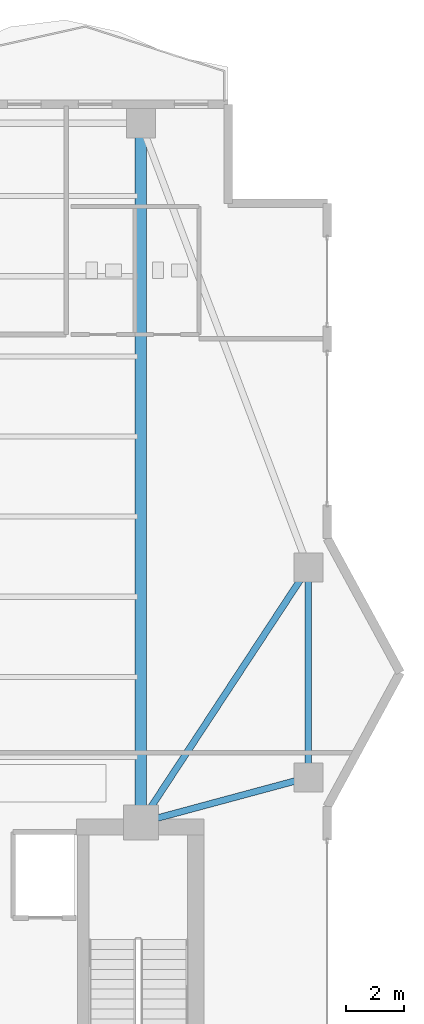
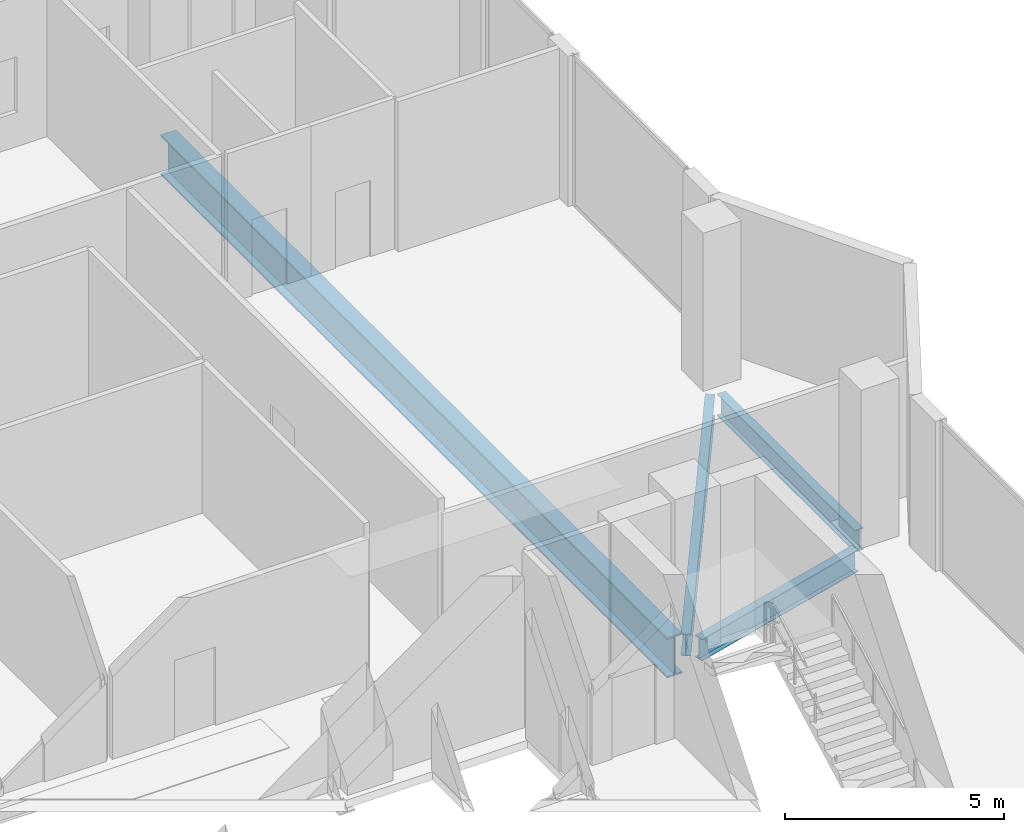
# One storey, part 9 of 23: 4 beams.
"""IFC4 building model written with IfcOpenShell, lengths in metres."""

from ifc_helpers import new_model, si_unit, direction, frame, origin, origin_2d, place, context, subcontext, project, spatial, i_section, extrude, material, material_profile, profile_set, type_object, element, save


model = new_model("IFC4")

# Units and contexts
model_context = context("Model", 3, precision=1e-05, world=origin(), true_north=direction((0.0, 1.0)))
body_context = subcontext(model_context, "Body", "Model", "MODEL_VIEW")
ifc_project = project(units=[si_unit("LENGTHUNIT", "METRE"), si_unit("AREAUNIT", "SQUARE_METRE"), si_unit("VOLUMEUNIT", "CUBIC_METRE"), si_unit("PLANEANGLEUNIT", "RADIAN"), si_unit("MASSUNIT", "GRAM", prefix="KILO")], contexts=[model_context])

# Site, building, storey
site_placement = place(None, origin())
site = spatial("IfcSite", under=ifc_project, at=site_placement, CompositionType="ELEMENT")
building_placement = place(site_placement, origin())
building = spatial("IfcBuilding", under=site, at=building_placement, Name="Zuhayl Quay Hotel", CompositionType="ELEMENT")
storey_placement = place(building_placement, frame((0.0, 0.0, 288.449951171875)))
storey = spatial("IfcBuildingStorey", under=building, at=storey_placement, Name="L73", CompositionType="ELEMENT", Elevation=288.449951171875)

# Beams
ifc_material_1 = material(Name="Steel ASTM A992 Grade 50", Category="steel")
ifc_material_profile_1 = material_profile(ifc_material_1, i_section(OverallWidth=0.22802734375, OverallDepth=0.60693359375, WebThickness=0.01123046875, FlangeThickness=0.017333984375, at=origin_2d()), Name="W24X76")
ifc_profile_set_1 = profile_set([ifc_material_profile_1], Name="Steel ASTM A992 Grade 50")
beam_type_1 = type_object("IfcBeamType", Name="BM_B3_W24X76", PredefinedType="BEAM", material=ifc_profile_set_1)
beam_1_placement = place(storey_placement, frame((19.550048828125, 16.360107421875, -0.5234375), z_axis=(0.0, 1.0, 0.0), x_axis=(-1.0, 0.0, 0.0)))
element("IfcBeam", 1, at=beam_1_placement, inside=storey, type_object=beam_type_1, Name="L73 Floor Beam RG_L73_05", PredefinedType="BEAM", context=body_context, shape_type="SweptSolid", body=[
    extrude(i_section(OverallWidth=0.22802734375, OverallDepth=0.60693359375, WebThickness=0.01123046875, FlangeThickness=0.017333984375, at=origin_2d()), origin(), (0.0, 0.0, 1.0), 6.27978515625),
])
beam_2_placement = place(storey_placement, frame((14.234619140625, 14.467041015625, -0.5234375), z_axis=(0.965530205773, 0.26029103277, 0.0), x_axis=(-0.26029103277, 0.965530205773, 0.0)))
element("IfcBeam", 2, at=beam_2_placement, inside=storey, type_object=beam_type_1, Name="L73 Floor Beam FG_E_L73_1", PredefinedType="BEAM", context=body_context, shape_type="SweptSolid", body=[
    extrude(i_section(OverallWidth=0.22802734375, OverallDepth=0.60693359375, WebThickness=0.01123046875, FlangeThickness=0.017333984375, at=origin_2d()), origin(), (0.0, 0.0, 1.0), 5.045166015625),
])
beam_3_placement = place(storey_placement, frame((14.047119140625, 14.72607421875, -0.5234375), z_axis=(0.549177886661, 0.835705479701, 0.0), x_axis=(-0.835705479701, 0.549177886661, 0.0)))
element("IfcBeam", 3, at=beam_3_placement, inside=storey, type_object=beam_type_1, Name="L73 Floor Beam FG_E_L73_2", PredefinedType="BEAM", context=body_context, shape_type="SweptSolid", body=[
    extrude(i_section(OverallWidth=0.22802734375, OverallDepth=0.60693359375, WebThickness=0.01123046875, FlangeThickness=0.017333984375, at=origin_2d()), origin(), (0.0, 0.0, 1.0), 9.560302734375),
])
ifc_material_2 = material(Name="Steel ASTM A913 Grade 65", Category="steel")
ifc_material_profile_2 = material_profile(ifc_material_2, i_section(OverallWidth=0.404052734375, OverallDepth=1.117919921875, WebThickness=0.026123046875, FlangeThickness=0.044921875, at=origin_2d()), Name="W44X335")
ifc_profile_set_2 = profile_set([ifc_material_profile_2], Name="Steel ASTM A913 Grade 65")
beam_type_2 = type_object("IfcBeamType", Name="BM_TG1_W44X335", PredefinedType="BEAM", material=ifc_profile_set_2)
beam_4_placement = place(storey_placement, frame((13.800048828125, 14.800048828125, -0.779052734375), z_axis=(0.0, 1.0, 0.0), x_axis=(-1.0, 0.0, 0.0)))
element("IfcBeam", 4, at=beam_4_placement, inside=storey, type_object=beam_type_2, Name="L73 Floor Beam FG_N_L73_4", PredefinedType="BEAM", context=body_context, shape_type="SweptSolid", body=[
    extrude(i_section(OverallWidth=0.404052734375, OverallDepth=1.117919921875, WebThickness=0.026123046875, FlangeThickness=0.044921875, at=origin_2d()), origin(), (0.0, 0.0, 1.0), 23.08984375),
])

save(model, "model.ifc")
